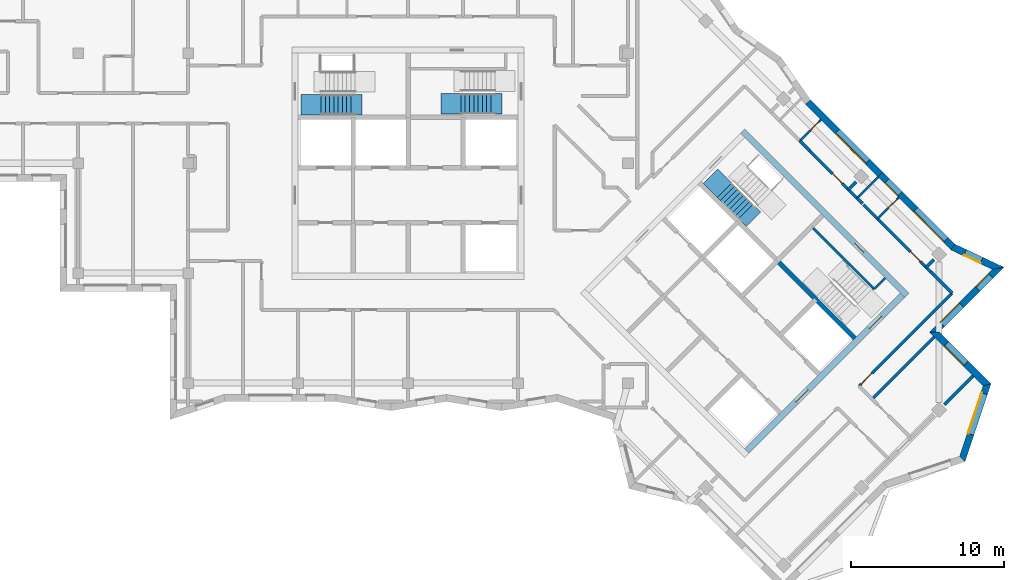
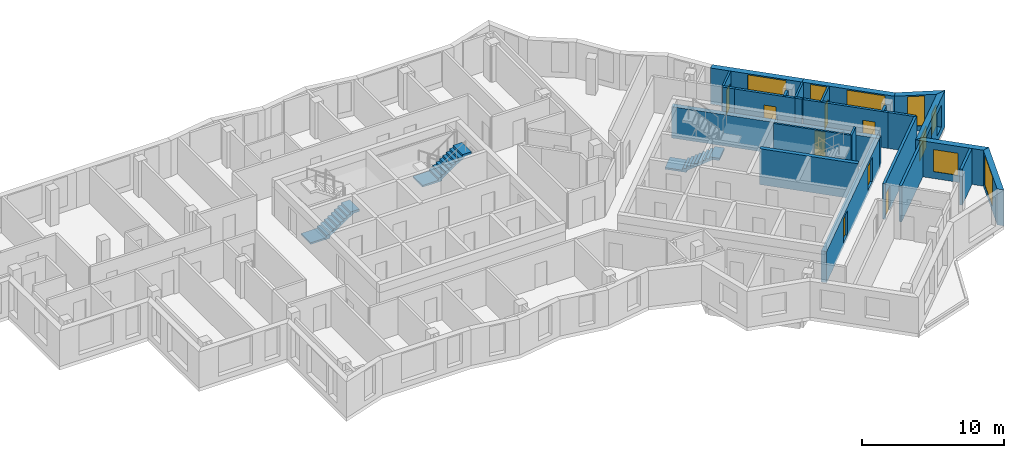
# One storey, part 8 of 12: 24 walls, 8 doors, 8 windows, 3 stair flights, 16 openings, 3 elements without a shape of their own.
"""IFC4 building model written with IfcOpenShell, lengths in metres."""

from ifc_helpers import new_model, si_unit, direction, frame, frame_2d, origin, place, context, subcontext, project, spatial, polyline, rectangle, outline, extrude, material, layer, layer_set, type_object, element, fill, aggregate, save


model = new_model("IFC4")

# Units and contexts
model_context = context("Model", 3, precision=1e-05, world=origin(), true_north=direction((0.0, 1.0)))
body_context = subcontext(model_context, "Body", "Model", "MODEL_VIEW")
ifc_project = project(units=[si_unit("LENGTHUNIT", "METRE"), si_unit("AREAUNIT", "SQUARE_METRE"), si_unit("VOLUMEUNIT", "CUBIC_METRE"), si_unit("PLANEANGLEUNIT", "RADIAN"), si_unit("MASSUNIT", "GRAM", prefix="KILO")], contexts=[model_context])

# Site, building, storey
site_placement = place(None, origin())
site = spatial("IfcSite", under=ifc_project, at=site_placement, CompositionType="ELEMENT")
building_placement = place(site_placement, origin())
building = spatial("IfcBuilding", under=site, at=building_placement, Name="Windrow Commons", CompositionType="ELEMENT")
storey_placement = place(building_placement, frame((0.0, 0.0, 277.8)))
storey = spatial("IfcBuildingStorey", under=building, at=storey_placement, Name="L76", CompositionType="ELEMENT", Elevation=277.8)

# Wall, opening, window
ifc_material_1 = material(Name="Brick masonry, red clay brick", Category="masonry")
ifc_layer_1 = layer(ifc_material_1, 0.45)
ifc_layer_set_1 = layer_set([ifc_layer_1], Name="Brick facade wall 450")
wall_type_1 = type_object("IfcWallType", Name="Brick facade wall 450", PredefinedType="SOLIDWALL", material=ifc_layer_set_1)
wall_1_placement = place(storey_placement, frame((101.0838, 38.2367, 0.0), z_axis=(0.0, 0.0, 1.0), x_axis=(0.3162453612, 0.9486774328, 0.0)))
wall_1 = element("IfcWall", 1, at=wall_1_placement, inside=storey, type_object=wall_type_1, Name="Brick facade wall L76 3", PredefinedType="SOLIDWALL", context=body_context, shape_type="SweptSolid", body=[
    extrude(outline(polyline([(-0.1125, -0.225), (5.2541, -0.225), (4.976, 0.225), (0.1125, 0.225), (-0.1125, -0.225)])), origin(), (0.0, 0.0, 1.0), 3.1),
])
opening_1_placement = place(wall_1_placement, frame((1.7065, 0.0, 0.45)))
opening_1 = element("IfcOpeningElement", 2, at=opening_1_placement, cuts=wall_1, Name="Opening W1V", PredefinedType="OPENING", context=body_context, shape_type="SweptSolid", body=[
    extrude(rectangle(XDim=2.8, YDim=2.55, at=frame_2d((1.4, 1.275))), frame((0.0, 0.235, 0.0), z_axis=(0.0, -1.0, 0.0), x_axis=(1.0, 0.0, 0.0)), (0.0, 0.0, 1.0), 0.47),
])
ifc_material_2 = material(Name="Clear float glass in anodised aluminium frame", Category="aluminium")
window_type_1 = type_object("IfcWindowType", Name="Window W1V bedroom 2800x2550", PartitioningType="SINGLE_PANEL", PredefinedType="WINDOW", material=ifc_material_2)
window_1_placement = place(opening_1_placement, origin())
window_1 = element("IfcWindow", 3, at=window_1_placement, inside=storey, type_object=window_type_1, Name="Window L76 3.1", OverallHeight=2.55, OverallWidth=2.8, PartitioningType="SINGLE_PANEL", PredefinedType="WINDOW", context=body_context, shape_type="SweptSolid", body=[
    extrude(rectangle(XDim=2.8, YDim=2.55, at=frame_2d((1.4, 1.275))), frame((0.0, 0.205, 0.0), z_axis=(0.0, -1.0, 0.0), x_axis=(1.0, 0.0, 0.0)), (0.0, 0.0, 1.0), 0.06),
])
fill(opening_1, window_1)

wall_2_placement = place(storey_placement, frame((102.7014, 43.0892, 0.0), z_axis=(0.0, 0.0, 1.0), x_axis=(-0.7070965479, 0.7071170144, 0.0)))
wall_2 = element("IfcWall", 4, at=wall_2_placement, inside=storey, type_object=wall_type_1, Name="Brick facade wall L76 4", PredefinedType="SOLIDWALL", context=body_context, shape_type="SweptSolid", body=[
    extrude(outline(polyline([(-0.1391, -0.225), (4.661, -0.225), (5.111, 0.225), (0.1391, 0.225), (-0.1391, -0.225)])), origin(), (0.0, 0.0, 1.0), 3.1),
])
opening_2_placement = place(wall_2_placement, frame((1.9735, 0.0, 0.6)))
opening_2 = element("IfcOpeningElement", 5, at=opening_2_placement, cuts=wall_2, Name="Opening W1L", PredefinedType="OPENING", context=body_context, shape_type="SweptSolid", body=[
    extrude(rectangle(XDim=1.8, YDim=1.9, at=frame_2d((0.9, 0.95))), frame((0.0, 0.235, 0.0), z_axis=(0.0, -1.0, 0.0), x_axis=(1.0, 0.0, 0.0)), (0.0, 0.0, 1.0), 0.47),
])
ifc_material_3 = material(Name="Clear float glass in anodised aluminium frame", Category="aluminium")
window_type_2 = type_object("IfcWindowType", Name="Window W1L bedroom 1800x1900", PartitioningType="SINGLE_PANEL", PredefinedType="WINDOW", material=ifc_material_3)
window_2_placement = place(opening_2_placement, origin())
window_2 = element("IfcWindow", 6, at=window_2_placement, inside=storey, type_object=window_type_2, Name="Window L76 4.1", OverallHeight=1.9, OverallWidth=1.8, PartitioningType="SINGLE_PANEL", PredefinedType="WINDOW", context=body_context, shape_type="SweptSolid", body=[
    extrude(rectangle(XDim=1.8, YDim=1.9, at=frame_2d((0.9, 0.95))), frame((0.0, 0.205, 0.0), z_axis=(0.0, -1.0, 0.0), x_axis=(1.0, 0.0, 0.0)), (0.0, 0.0, 1.0), 0.06),
])
fill(opening_2, window_2)

# Wall, openings, windows
wall_3_placement = place(storey_placement, frame((99.2465, 46.5442, 0.0), z_axis=(0.0, 0.0, 1.0), x_axis=(0.7071067812, 0.7071067812, 0.0)))
wall_3 = element("IfcWall", 7, at=wall_3_placement, inside=storey, type_object=wall_type_1, Name="Brick facade wall L76 5", PredefinedType="SOLIDWALL", context=body_context, shape_type="SweptSolid", body=[
    extrude(outline(polyline([(0.225, -0.225), (6.228, -0.225), (5.5876, 0.225), (-0.225, 0.225), (0.225, -0.225)])), origin(), (0.0, 0.0, 1.0), 3.1),
])
opening_3_placement = place(wall_3_placement, frame((0.7125, 0.0, 0.6)))
opening_3 = element("IfcOpeningElement", 8, at=opening_3_placement, cuts=wall_3, Name="Opening W1L", PredefinedType="OPENING", context=body_context, shape_type="SweptSolid", body=[
    extrude(rectangle(XDim=1.8, YDim=1.9, at=frame_2d((0.9, 0.95))), frame((0.0, 0.235, 0.0), z_axis=(0.0, -1.0, 0.0), x_axis=(1.0, 0.0, 0.0)), (0.0, 0.0, 1.0), 0.47),
])
opening_4_placement = place(wall_3_placement, frame((4.0063, 0.0, 0.6)))
opening_4 = element("IfcOpeningElement", 9, at=opening_4_placement, cuts=wall_3, Name="Opening W7G", PredefinedType="OPENING", context=body_context, shape_type="SweptSolid", body=[
    extrude(rectangle(XDim=1.2, YDim=1.9, at=frame_2d((0.6, 0.95))), frame((0.0, 0.235, 0.0), z_axis=(0.0, -1.0, 0.0), x_axis=(1.0, 0.0, 0.0)), (0.0, 0.0, 1.0), 0.47),
])
window_3_placement = place(opening_3_placement, origin())
window_3 = element("IfcWindow", 10, at=window_3_placement, inside=storey, type_object=window_type_2, Name="Window L76 5.1", OverallHeight=1.9, OverallWidth=1.8, PartitioningType="SINGLE_PANEL", PredefinedType="WINDOW", context=body_context, shape_type="SweptSolid", body=[
    extrude(rectangle(XDim=1.8, YDim=1.9, at=frame_2d((0.9, 0.95))), frame((0.0, 0.205, 0.0), z_axis=(0.0, -1.0, 0.0), x_axis=(1.0, 0.0, 0.0)), (0.0, 0.0, 1.0), 0.06),
])
fill(opening_3, window_3)
ifc_material_4 = material(Name="Clear float glass in anodised aluminium frame", Category="aluminium")
window_type_3 = type_object("IfcWindowType", Name="Window W7 notch 1200x1900", PartitioningType="SINGLE_PANEL", PredefinedType="WINDOW", material=ifc_material_4)
window_4_placement = place(opening_4_placement, origin())
window_4 = element("IfcWindow", 11, at=window_4_placement, inside=storey, type_object=window_type_3, Name="Window L76 5.2", OverallHeight=1.9, OverallWidth=1.2, PartitioningType="SINGLE_PANEL", PredefinedType="WINDOW", context=body_context, shape_type="SweptSolid", body=[
    extrude(rectangle(XDim=1.2, YDim=1.9, at=frame_2d((0.6, 0.95))), frame((0.0, 0.205, 0.0), z_axis=(0.0, -1.0, 0.0), x_axis=(1.0, 0.0, 0.0)), (0.0, 0.0, 1.0), 0.06),
])
fill(opening_4, window_4)

# Wall, opening, window
wall_4_placement = place(storey_placement, frame((103.4239, 50.7216, 0.0), z_axis=(0.0, 0.0, 1.0), x_axis=(-0.9049018861, 0.4256202258, 0.0)))
wall_4 = element("IfcWall", 12, at=wall_4_placement, inside=storey, type_object=wall_type_1, Name="Brick facade wall L76 6", PredefinedType="SOLIDWALL", context=body_context, shape_type="SweptSolid", body=[
    extrude(outline(polyline([(-0.3202, -0.225), (3.2294, -0.225), (3.308, 0.225), (0.3202, 0.225), (-0.3202, -0.225)])), origin(), (0.0, 0.0, 1.0), 3.1),
])
opening_5_placement = place(wall_4_placement, frame((1.1944, 0.0, 0.45)))
opening_5 = element("IfcOpeningElement", 13, at=opening_5_placement, cuts=wall_4, Name="Opening W7F", PredefinedType="OPENING", context=body_context, shape_type="SweptSolid", body=[
    extrude(rectangle(XDim=1.2, YDim=2.55, at=frame_2d((0.6, 1.275))), frame((0.0, 0.235, 0.0), z_axis=(0.0, -1.0, 0.0), x_axis=(1.0, 0.0, 0.0)), (0.0, 0.0, 1.0), 0.47),
])
ifc_material_5 = material(Name="Clear float glass in anodised aluminium frame", Category="aluminium")
window_type_4 = type_object("IfcWindowType", Name="Window W7 notch 1200x2550", PartitioningType="SINGLE_PANEL", PredefinedType="WINDOW", material=ifc_material_5)
window_5_placement = place(opening_5_placement, origin())
window_5 = element("IfcWindow", 14, at=window_5_placement, inside=storey, type_object=window_type_4, Name="Window L76 6.1", OverallHeight=2.55, OverallWidth=1.2, PartitioningType="SINGLE_PANEL", PredefinedType="WINDOW", context=body_context, shape_type="SweptSolid", body=[
    extrude(rectangle(XDim=1.2, YDim=2.55, at=frame_2d((0.6, 1.275))), frame((0.0, 0.205, 0.0), z_axis=(0.0, -1.0, 0.0), x_axis=(1.0, 0.0, 0.0)), (0.0, 0.0, 1.0), 0.06),
])
fill(opening_5, window_5)

# Wall, openings, windows
wall_5_placement = place(storey_placement, frame((100.4661, 52.1128, 0.0), z_axis=(0.0, 0.0, 1.0), x_axis=(-0.7071067812, 0.7071067812, 0.0)))
wall_5 = element("IfcWall", 15, at=wall_5_placement, inside=storey, type_object=wall_type_1, Name="Brick facade wall L76 7", PredefinedType="SOLIDWALL", context=body_context, shape_type="SweptSolid", body=[
    extrude(outline(polyline([(0.0393, -0.225), (6.7184, -0.225), (6.7184, 0.225), (-0.0393, 0.225), (0.0393, -0.225)])), origin(), (0.0, 0.0, 1.0), 3.1),
])
opening_6_placement = place(wall_5_placement, frame((0.6499, 0.0, 0.45)))
opening_6 = element("IfcOpeningElement", 16, at=opening_6_placement, cuts=wall_5, Name="Opening W1V", PredefinedType="OPENING", context=body_context, shape_type="SweptSolid", body=[
    extrude(rectangle(XDim=2.8, YDim=2.55, at=frame_2d((1.4, 1.275))), frame((0.0, 0.235, 0.0), z_axis=(0.0, -1.0, 0.0), x_axis=(1.0, 0.0, 0.0)), (0.0, 0.0, 1.0), 0.47),
])
opening_7_placement = place(wall_5_placement, frame((4.909, 0.0, 0.45)))
opening_7 = element("IfcOpeningElement", 17, at=opening_7_placement, cuts=wall_5, Name="Opening W7F", PredefinedType="OPENING", context=body_context, shape_type="SweptSolid", body=[
    extrude(rectangle(XDim=1.2, YDim=2.55, at=frame_2d((0.6, 1.275))), frame((0.0, 0.235, 0.0), z_axis=(0.0, -1.0, 0.0), x_axis=(1.0, 0.0, 0.0)), (0.0, 0.0, 1.0), 0.47),
])
window_6_placement = place(opening_6_placement, origin())
window_6 = element("IfcWindow", 18, at=window_6_placement, inside=storey, type_object=window_type_1, Name="Window L76 7.1", OverallHeight=2.55, OverallWidth=2.8, PartitioningType="SINGLE_PANEL", PredefinedType="WINDOW", context=body_context, shape_type="SweptSolid", body=[
    extrude(rectangle(XDim=2.8, YDim=2.55, at=frame_2d((1.4, 1.275))), frame((0.0, 0.205, 0.0), z_axis=(0.0, -1.0, 0.0), x_axis=(1.0, 0.0, 0.0)), (0.0, 0.0, 1.0), 0.06),
])
fill(opening_6, window_6)
window_7_placement = place(opening_7_placement, origin())
window_7 = element("IfcWindow", 19, at=window_7_placement, inside=storey, type_object=window_type_4, Name="Window L76 7.2", OverallHeight=2.55, OverallWidth=1.2, PartitioningType="SINGLE_PANEL", PredefinedType="WINDOW", context=body_context, shape_type="SweptSolid", body=[
    extrude(rectangle(XDim=1.2, YDim=2.55, at=frame_2d((0.6, 1.275))), frame((0.0, 0.205, 0.0), z_axis=(0.0, -1.0, 0.0), x_axis=(1.0, 0.0, 0.0)), (0.0, 0.0, 1.0), 0.06),
])
fill(opening_7, window_7)

# Wall, opening, window
wall_6_placement = place(storey_placement, frame((95.7155, 56.8634, 0.0), z_axis=(0.0, 0.0, 1.0), x_axis=(-0.7071067812, 0.7071067812, 0.0)))
wall_6 = element("IfcWall", 20, at=wall_6_placement, inside=storey, type_object=wall_type_1, Name="Brick facade wall L76 8", PredefinedType="SOLIDWALL", context=body_context, shape_type="SweptSolid", body=[
    extrude(outline(polyline([(0.0, -0.225), (6.6791, -0.225), (6.7194, 0.225), (0.0, 0.225), (0.0, -0.225)])), origin(), (0.0, 0.0, 1.0), 3.1),
])
opening_8_placement = place(wall_6_placement, frame((1.1814, 0.0, 0.45)))
opening_8 = element("IfcOpeningElement", 21, at=opening_8_placement, cuts=wall_6, Name="Opening W1V", PredefinedType="OPENING", context=body_context, shape_type="SweptSolid", body=[
    extrude(rectangle(XDim=2.8, YDim=2.55, at=frame_2d((1.4, 1.275))), frame((0.0, 0.235, 0.0), z_axis=(0.0, -1.0, 0.0), x_axis=(1.0, 0.0, 0.0)), (0.0, 0.0, 1.0), 0.47),
])
window_8_placement = place(opening_8_placement, origin())
window_8 = element("IfcWindow", 22, at=window_8_placement, inside=storey, type_object=window_type_1, Name="Window L76 8.1", OverallHeight=2.55, OverallWidth=2.8, PartitioningType="SINGLE_PANEL", PredefinedType="WINDOW", context=body_context, shape_type="SweptSolid", body=[
    extrude(rectangle(XDim=2.8, YDim=2.55, at=frame_2d((1.4, 1.275))), frame((0.0, 0.205, 0.0), z_axis=(0.0, -1.0, 0.0), x_axis=(1.0, 0.0, 0.0)), (0.0, 0.0, 1.0), 0.06),
])
fill(opening_8, window_8)

# Wall, opening, door
ifc_material_6 = material(Name="Blockwork partition", Category="masonry")
ifc_layer_2 = layer(ifc_material_6, 0.2)
ifc_layer_set_2 = layer_set([ifc_layer_2], Name="IW-CORRIDOR-200")
wall_type_2 = type_object("IfcWallType", Name="IW-CORRIDOR-200", PredefinedType="PARTITIONING", material=ifc_layer_set_2)
wall_7_placement = place(storey_placement, frame((94.3309, 43.0091, 0.0), z_axis=(0.0, 0.0, 1.0), x_axis=(0.7071067812, 0.7071067812, 0.0)))
wall_7 = element("IfcWall", 23, at=wall_7_placement, inside=storey, type_object=wall_type_2, Name="W-L76-W013", PredefinedType="PARTITIONING", context=body_context, shape_type="SweptSolid", body=[
    extrude(rectangle(XDim=8.6012, YDim=0.2, at=frame_2d((4.3006, 0.0))), origin(), (0.0, 0.0, 1.0), 3.1),
])
opening_9_placement = place(wall_7_placement, frame((0.1937, 0.0, 0.0)))
opening_9 = element("IfcOpeningElement", 24, at=opening_9_placement, cuts=wall_7, Name="Opening D310F", PredefinedType="OPENING", context=body_context, shape_type="SweptSolid", body=[
    extrude(rectangle(XDim=1.0, YDim=2.1, at=frame_2d((0.5, 1.05))), frame((0.0, 0.11, 0.0), z_axis=(0.0, -1.0, 0.0), x_axis=(1.0, 0.0, 0.0)), (0.0, 0.0, 1.0), 0.22),
])
ifc_material_7 = material(Name="Timber door leaf", Category="wood")
door_type_1 = type_object("IfcDoorType", Name="DT-AMENITY-1000", OperationType="SINGLE_SWING_LEFT", PredefinedType="DOOR", material=ifc_material_7)
door_1_placement = place(opening_9_placement, origin())
door_1 = element("IfcDoor", 25, at=door_1_placement, inside=storey, type_object=door_type_1, Name="D-L76-D036", OperationType="SINGLE_SWING_LEFT", OverallHeight=2.1, OverallWidth=1.0, PredefinedType="DOOR", context=body_context, shape_type="SweptSolid", body=[
    extrude(rectangle(XDim=1.0, YDim=2.1, at=frame_2d((0.5, 1.05))), frame((0.0, 0.025, 0.0), z_axis=(0.0, -1.0, 0.0), x_axis=(1.0, 0.0, 0.0)), (0.0, 0.0, 1.0), 0.05),
])
fill(opening_9, door_1)

wall_8_placement = place(storey_placement, frame((94.6173, 54.8793, 0.0), z_axis=(0.0, 0.0, 1.0), x_axis=(0.7071067812, -0.7071067812, 0.0)))
wall_8 = element("IfcWall", 26, at=wall_8_placement, inside=storey, type_object=wall_type_2, Name="W-L76-W025", PredefinedType="PARTITIONING", context=body_context, shape_type="SweptSolid", body=[
    extrude(rectangle(XDim=6.1914, YDim=0.2, at=frame_2d((3.0957, 0.0))), origin(), (0.0, 0.0, 1.0), 3.1),
])
opening_10_placement = place(wall_8_placement, frame((4.346, 0.0, 0.0)))
opening_10 = element("IfcOpeningElement", 27, at=opening_10_placement, cuts=wall_8, Name="Opening D109S", PredefinedType="OPENING", context=body_context, shape_type="SweptSolid", body=[
    extrude(rectangle(XDim=0.9, YDim=2.1, at=frame_2d((0.45, 1.05))), frame((0.0, 0.11, 0.0), z_axis=(0.0, -1.0, 0.0), x_axis=(1.0, 0.0, 0.0)), (0.0, 0.0, 1.0), 0.22),
])
ifc_material_8 = material(Name="Timber door leaf", Category="wood")
door_type_2 = type_object("IfcDoorType", Name="DT-BEDROOM-900", OperationType="SINGLE_SWING_LEFT", PredefinedType="DOOR", material=ifc_material_8)
door_2_placement = place(opening_10_placement, origin())
door_2 = element("IfcDoor", 28, at=door_2_placement, inside=storey, type_object=door_type_2, Name="D-L76-D032", OperationType="SINGLE_SWING_LEFT", OverallHeight=2.1, OverallWidth=0.9, PredefinedType="DOOR", context=body_context, shape_type="SweptSolid", body=[
    extrude(rectangle(XDim=0.9, YDim=2.1, at=frame_2d((0.45, 1.05))), frame((0.0, 0.025, 0.0), z_axis=(0.0, -1.0, 0.0), x_axis=(1.0, 0.0, 0.0)), (0.0, 0.0, 1.0), 0.05),
])
fill(opening_10, door_2)

wall_9_placement = place(storey_placement, frame((91.0769, 58.4209, 0.0), z_axis=(0.0, 0.0, 1.0), x_axis=(0.7069703926, -0.7072431435, 0.0)))
wall_9 = element("IfcWall", 29, at=wall_9_placement, inside=storey, type_object=wall_type_2, Name="W-L76-W044", PredefinedType="PARTITIONING", context=body_context, shape_type="SweptSolid", body=[
    extrude(rectangle(XDim=4.3996, YDim=0.2, at=frame_2d((2.1998, 0.0))), origin(), (0.0, 0.0, 1.0), 3.1),
])
opening_11_placement = place(wall_9_placement, frame((2.1319, 0.0, 0.0)))
opening_11 = element("IfcOpeningElement", 30, at=opening_11_placement, cuts=wall_9, Name="Opening D109S", PredefinedType="OPENING", context=body_context, shape_type="SweptSolid", body=[
    extrude(rectangle(XDim=0.9, YDim=2.1, at=frame_2d((0.45, 1.05))), frame((0.0, 0.11, 0.0), z_axis=(0.0, -1.0, 0.0), x_axis=(1.0, 0.0, 0.0)), (0.0, 0.0, 1.0), 0.22),
])
door_3_placement = place(opening_11_placement, origin())
door_3 = element("IfcDoor", 31, at=door_3_placement, inside=storey, type_object=door_type_2, Name="D-L76-D030", OperationType="SINGLE_SWING_LEFT", OverallHeight=2.1, OverallWidth=0.9, PredefinedType="DOOR", context=body_context, shape_type="SweptSolid", body=[
    extrude(rectangle(XDim=0.9, YDim=2.1, at=frame_2d((0.45, 1.05))), frame((0.0, 0.025, 0.0), z_axis=(0.0, -1.0, 0.0), x_axis=(1.0, 0.0, 0.0)), (0.0, 0.0, 1.0), 0.05),
])
fill(opening_11, door_3)

# Walls
wall_10_placement = place(storey_placement, frame((98.9983, 50.5043, 0.0), z_axis=(0.0, 0.0, 1.0), x_axis=(0.7076063266, -0.7066068826, 0.0)))
element("IfcWall", 32, at=wall_10_placement, inside=storey, type_object=wall_type_2, Name="W-L76-W084", PredefinedType="PARTITIONING", context=body_context, shape_type="SweptSolid", body=[
    extrude(rectangle(XDim=2.0011, YDim=0.2, at=frame_2d((1.0006, 0.0))), origin(), (0.0, 0.0, 1.0), 3.1),
])
wall_11_placement = place(storey_placement, frame((90.4428, 59.0608, 0.0), z_axis=(0.0, 0.0, 1.0), x_axis=(0.7082159662, -0.7059958535, 0.0)))
element("IfcWall", 33, at=wall_11_placement, inside=storey, type_object=wall_type_2, Name="W-L76-W112", PredefinedType="PARTITIONING", context=body_context, shape_type="SweptSolid", body=[
    extrude(rectangle(XDim=0.9009, YDim=0.2, at=frame_2d((0.4505, 0.0))), origin(), (0.0, 0.0, 1.0), 3.1),
])
wall_12_placement = place(storey_placement, frame((94.1916, 55.3136, 0.0), z_axis=(0.0, 0.0, 1.0), x_axis=(0.7090520432, -0.7051561529, 0.0)))
element("IfcWall", 34, at=wall_12_placement, inside=storey, type_object=wall_type_2, Name="W-L76-W127", PredefinedType="PARTITIONING", context=body_context, shape_type="SweptSolid", body=[
    extrude(rectangle(XDim=0.5134, YDim=0.2, at=frame_2d((0.2567, 0.0))), origin(), (0.0, 0.0, 1.0), 3.1),
])

# Wall, opening, door
ifc_material_9 = material(Name="Blockwork partition", Category="masonry")
ifc_layer_3 = layer(ifc_material_9, 0.15)
ifc_layer_set_3 = layer_set([ifc_layer_3], Name="IW-ENSUITE-150")
wall_type_3 = type_object("IfcWallType", Name="IW-ENSUITE-150", PredefinedType="PARTITIONING", material=ifc_layer_set_3)
wall_13_placement = place(storey_placement, frame((90.4416, 59.0604, 0.0), z_axis=(0.0, 0.0, 1.0), x_axis=(0.7076448457, 0.7065683069, 0.0)))
wall_13 = element("IfcWall", 35, at=wall_13_placement, inside=storey, type_object=wall_type_3, Name="W-L76-W090", PredefinedType="PARTITIONING", context=body_context, shape_type="SweptSolid", body=[
    extrude(rectangle(XDim=1.9507, YDim=0.15, at=frame_2d((0.9754, 0.0))), origin(), (0.0, 0.0, 1.0), 3.1),
])
opening_12_placement = place(wall_13_placement, frame((0.9732, 0.0, 0.0)))
opening_12 = element("IfcOpeningElement", 36, at=opening_12_placement, cuts=wall_13, Name="Opening D208N", PredefinedType="OPENING", context=body_context, shape_type="SweptSolid", body=[
    extrude(rectangle(XDim=0.8, YDim=2.1, at=frame_2d((0.4, 1.05))), frame((0.0, 0.085, 0.0), z_axis=(0.0, -1.0, 0.0), x_axis=(1.0, 0.0, 0.0)), (0.0, 0.0, 1.0), 0.17),
])
ifc_material_10 = material(Name="Timber door leaf", Category="wood")
door_type_3 = type_object("IfcDoorType", Name="DT-ENSUITE-800", OperationType="SINGLE_SWING_LEFT", PredefinedType="DOOR", material=ifc_material_10)
door_4_placement = place(opening_12_placement, origin())
door_4 = element("IfcDoor", 37, at=door_4_placement, inside=storey, type_object=door_type_3, Name="D-L76-D031", OperationType="SINGLE_SWING_RIGHT", OverallHeight=2.1, OverallWidth=0.8, PredefinedType="DOOR", context=body_context, shape_type="SweptSolid", body=[
    extrude(rectangle(XDim=0.8, YDim=2.1, at=frame_2d((0.4, 1.05))), frame((0.0, 0.025, 0.0), z_axis=(0.0, -1.0, 0.0), x_axis=(1.0, 0.0, 0.0)), (0.0, 0.0, 1.0), 0.05),
])
fill(opening_12, door_4)

# Wall
wall_14_placement = place(storey_placement, frame((94.1894, 55.3126, 0.0), z_axis=(0.0, 0.0, 1.0), x_axis=(0.7070811488, 0.7071324126, 0.0)))
element("IfcWall", 38, at=wall_14_placement, inside=storey, type_object=wall_type_3, Name="W-L76-W091", PredefinedType="PARTITIONING", context=body_context, shape_type="SweptSolid", body=[
    extrude(rectangle(XDim=1.9507, YDim=0.15, at=frame_2d((0.9754, 0.0))), origin(), (0.0, 0.0, 1.0), 3.1),
])

# Wall, opening, door
wall_15_placement = place(storey_placement, frame((95.5329, 53.9691, 0.0), z_axis=(0.0, 0.0, 1.0), x_axis=(0.7070811488, 0.7071324126, 0.0)))
wall_15 = element("IfcWall", 39, at=wall_15_placement, inside=storey, type_object=wall_type_3, Name="W-L76-W092", PredefinedType="PARTITIONING", context=body_context, shape_type="SweptSolid", body=[
    extrude(rectangle(XDim=1.9507, YDim=0.15, at=frame_2d((0.9754, 0.0))), origin(), (0.0, 0.0, 1.0), 3.1),
])
opening_13_placement = place(wall_15_placement, frame((0.9798, 0.0, 0.0)))
opening_13 = element("IfcOpeningElement", 40, at=opening_13_placement, cuts=wall_15, Name="Opening D208N", PredefinedType="OPENING", context=body_context, shape_type="SweptSolid", body=[
    extrude(rectangle(XDim=0.8, YDim=2.1, at=frame_2d((0.4, 1.05))), frame((0.0, 0.085, 0.0), z_axis=(0.0, -1.0, 0.0), x_axis=(1.0, 0.0, 0.0)), (0.0, 0.0, 1.0), 0.17),
])
door_5_placement = place(opening_13_placement, origin())
door_5 = element("IfcDoor", 41, at=door_5_placement, inside=storey, type_object=door_type_3, Name="D-L76-D033", OperationType="SINGLE_SWING_RIGHT", OverallHeight=2.1, OverallWidth=0.8, PredefinedType="DOOR", context=body_context, shape_type="SweptSolid", body=[
    extrude(rectangle(XDim=0.8, YDim=2.1, at=frame_2d((0.4, 1.05))), frame((0.0, 0.025, 0.0), z_axis=(0.0, -1.0, 0.0), x_axis=(1.0, 0.0, 0.0)), (0.0, 0.0, 1.0), 0.05),
])
fill(opening_13, door_5)

# Walls
ifc_material_11 = material(Name="Blockwork partition", Category="masonry")
ifc_layer_4 = layer(ifc_material_11, 0.2)
ifc_layer_set_4 = layer_set([ifc_layer_4], Name="IW-PARTY-200")
wall_type_4 = type_object("IfcWallType", Name="IW-PARTY-200", PredefinedType="PARTITIONING", material=ifc_layer_set_4)
wall_16_placement = place(storey_placement, frame((95.1794, 42.1606, 0.0), z_axis=(0.0, 0.0, 1.0), x_axis=(0.707115476, 0.7070980863, 0.0)))
element("IfcWall", 42, at=wall_16_placement, inside=storey, type_object=wall_type_4, Name="W-L76-W028", PredefinedType="PARTITIONING", context=body_context, shape_type="SweptSolid", body=[
    extrude(rectangle(XDim=5.7505, YDim=0.2, at=frame_2d((2.8752, 0.0))), origin(), (0.0, 0.0, 1.0), 3.1),
])
wall_17_placement = place(storey_placement, frame((99.913, 41.803, 0.0), z_axis=(0.0, 0.0, 1.0), x_axis=(0.7071067812, 0.7071067812, 0.0)))
element("IfcWall", 43, at=wall_17_placement, inside=storey, type_object=wall_type_4, Name="W-L76-W065", PredefinedType="PARTITIONING", context=body_context, shape_type="SweptSolid", body=[
    extrude(rectangle(XDim=2.6562, YDim=0.2, at=frame_2d((1.3281, 0.0))), origin(), (0.0, 0.0, 1.0), 3.1),
])
wall_18_placement = place(storey_placement, frame((98.7148, 50.7872, 0.0), z_axis=(0.0, 0.0, 1.0), x_axis=(0.7071067812, 0.7071067812, 0.0)))
element("IfcWall", 44, at=wall_18_placement, inside=storey, type_object=wall_type_4, Name="W-L76-W118", PredefinedType="PARTITIONING", context=body_context, shape_type="SweptSolid", body=[
    extrude(rectangle(XDim=0.7071, YDim=0.2, at=frame_2d((0.3535, 0.0))), origin(), (0.0, 0.0, 1.0), 3.1),
])
wall_19_placement = place(storey_placement, frame((93.625, 55.877, 0.0), z_axis=(0.0, 0.0, 1.0), x_axis=(0.7085224061, 0.7056883165, 0.0)))
element("IfcWall", 45, at=wall_19_placement, inside=storey, type_object=wall_type_4, Name="W-L76-W119", PredefinedType="PARTITIONING", context=body_context, shape_type="SweptSolid", body=[
    extrude(rectangle(XDim=0.7057, YDim=0.2, at=frame_2d((0.3528, 0.0))), origin(), (0.0, 0.0, 1.0), 3.1),
])

# Wall, opening, door
ifc_material_12 = material(Name="Concrete C40/50", Category="concrete")
ifc_layer_5 = layer(ifc_material_12, 0.4)
ifc_layer_set_5 = layer_set([ifc_layer_5], Name="RC CORE WALL 400 C40/50")
wall_type_5 = type_object("IfcWallType", Name="RC CORE WALL 400 C40/50", PredefinedType="SHEAR", material=ifc_layer_set_5)
wall_20_placement = place(storey_placement, frame((86.6953, 59.6963, -0.3), z_axis=(0.0, 0.0, 1.0), x_axis=(0.7071100706, -0.7071034917, 0.0)))
wall_20 = element("IfcWall", 46, at=wall_20_placement, inside=storey, type_object=wall_type_5, Name="Core B wall outer-N", PredefinedType="SHEAR", context=body_context, shape_type="SweptSolid", body=[
    extrude(rectangle(XDim=15.2, YDim=0.4, at=frame_2d((7.6, 0.0))), origin(), (0.0, 0.0, 1.0), 2.7),
])
opening_14_placement = place(wall_20_placement, frame((10.4, 0.0, 0.3)))
opening_14 = element("IfcOpeningElement", 47, at=opening_14_placement, cuts=wall_20, Name="Opening D9", PredefinedType="OPENING", context=body_context, shape_type="SweptSolid", body=[
    extrude(rectangle(XDim=0.8, YDim=2.1, at=frame_2d((0.4, 1.05))), frame((0.0, 0.21, 0.0), z_axis=(0.0, -1.0, 0.0), x_axis=(1.0, 0.0, 0.0)), (0.0, 0.0, 1.0), 0.42),
])
ifc_material_13 = material(Name="Steel fire door leaf", Category="steel")
door_type_4 = type_object("IfcDoorType", Name="Riser access door 800", OperationType="SINGLE_SWING_LEFT", PredefinedType="DOOR", material=ifc_material_13)
door_6_placement = place(opening_14_placement, origin())
door_6 = element("IfcDoor", 48, at=door_6_placement, inside=storey, type_object=door_type_4, Name="Riser access door", OperationType="SINGLE_SWING_RIGHT", OverallHeight=2.1, OverallWidth=0.8, PredefinedType="DOOR", context=body_context, shape_type="SweptSolid", body=[
    extrude(rectangle(XDim=0.8, YDim=2.1, at=frame_2d((0.4, 1.05))), frame((0.0, 0.025, 0.0), z_axis=(0.0, -1.0, 0.0), x_axis=(1.0, 0.0, 0.0)), (0.0, 0.0, 1.0), 0.05),
])
fill(opening_14, door_6)

# Wall, openings, doors
wall_21_placement = place(storey_placement, frame((86.9782, 38.766, -0.3), z_axis=(0.0, 0.0, 1.0), x_axis=(0.7071067812, 0.7071067812, 0.0)))
wall_21 = element("IfcWall", 49, at=wall_21_placement, inside=storey, type_object=wall_type_5, Name="Core B wall outer-E", PredefinedType="SHEAR", context=body_context, shape_type="SweptSolid", body=[
    extrude(rectangle(XDim=14.3999, YDim=0.4, at=frame_2d((7.2, 0.0))), origin(), (0.0, 0.0, 1.0), 2.7),
])
opening_15_placement = place(wall_21_placement, frame((4.55, 0.0, 0.3)))
opening_15 = element("IfcOpeningElement", 50, at=opening_15_placement, cuts=wall_21, Name="Opening D6", PredefinedType="OPENING", context=body_context, shape_type="SweptSolid", body=[
    extrude(rectangle(XDim=1.1, YDim=2.1, at=frame_2d((0.55, 1.05))), frame((0.0, 0.21, 0.0), z_axis=(0.0, -1.0, 0.0), x_axis=(1.0, 0.0, 0.0)), (0.0, 0.0, 1.0), 0.42),
])
opening_16_placement = place(wall_21_placement, frame((11.35, 0.0, 0.3)))
opening_16 = element("IfcOpeningElement", 51, at=opening_16_placement, cuts=wall_21, Name="Opening D7", PredefinedType="OPENING", context=body_context, shape_type="SweptSolid", body=[
    extrude(rectangle(XDim=1.1, YDim=2.1, at=frame_2d((0.55, 1.05))), frame((0.0, 0.21, 0.0), z_axis=(0.0, -1.0, 0.0), x_axis=(1.0, 0.0, 0.0)), (0.0, 0.0, 1.0), 0.42),
])
ifc_material_14 = material(Name="Steel fire door leaf", Category="steel")
door_type_5 = type_object("IfcDoorType", Name="Core lobby door 1100", OperationType="SINGLE_SWING_LEFT", PredefinedType="DOOR", material=ifc_material_14)
door_7_placement = place(opening_15_placement, origin())
door_7 = element("IfcDoor", 52, at=door_7_placement, inside=storey, type_object=door_type_5, Name="Lift lobby door", OperationType="DOUBLE_DOOR_SINGLE_SWING", OverallHeight=2.1, OverallWidth=1.1, PredefinedType="DOOR", context=body_context, shape_type="SweptSolid", body=[
    extrude(rectangle(XDim=1.1, YDim=2.1, at=frame_2d((0.55, 1.05))), frame((0.0, 0.025, 0.0), z_axis=(0.0, -1.0, 0.0), x_axis=(1.0, 0.0, 0.0)), (0.0, 0.0, 1.0), 0.05),
])
fill(opening_15, door_7)
ifc_material_15 = material(Name="Steel fire door leaf", Category="steel")
door_type_6 = type_object("IfcDoorType", Name="Stair door 1100", OperationType="SINGLE_SWING_LEFT", PredefinedType="DOOR", material=ifc_material_15)
door_8_placement = place(opening_16_placement, origin())
door_8 = element("IfcDoor", 53, at=door_8_placement, inside=storey, type_object=door_type_6, Name="Stair door", OperationType="SINGLE_SWING_RIGHT", OverallHeight=2.1, OverallWidth=1.1, PredefinedType="DOOR", context=body_context, shape_type="SweptSolid", body=[
    extrude(rectangle(XDim=1.1, YDim=2.1, at=frame_2d((0.55, 1.05))), frame((0.0, 0.025, 0.0), z_axis=(0.0, -1.0, 0.0), x_axis=(1.0, 0.0, 0.0)), (0.0, 0.0, 1.0), 0.05),
])
fill(opening_16, door_8)

# Walls
ifc_material_16 = material(Name="Concrete C40/50", Category="concrete")
ifc_layer_6 = layer(ifc_material_16, 0.3)
ifc_layer_set_6 = layer_set([ifc_layer_6], Name="RC SHAFT WALL 300 C40/50")
wall_type_6 = type_object("IfcWallType", Name="RC SHAFT WALL 300 C40/50", PredefinedType="SOLIDWALL", material=ifc_layer_set_6)
wall_22_placement = place(storey_placement, frame((88.9581, 51.2111, 0.0), z_axis=(0.0, 0.0, 1.0), x_axis=(0.7070998367, -0.7071137256, 0.0)))
element("IfcWall", 54, at=wall_22_placement, inside=storey, type_object=wall_type_6, Name="Core B wall stair-S2", PredefinedType="SOLIDWALL", context=body_context, shape_type="SweptSolid", body=[
    extrude(rectangle(XDim=7.2, YDim=0.3, at=frame_2d((3.6, 0.0))), origin(), (0.0, 0.0, 1.0), 3.1),
])
ifc_material_17 = material(Name="Blockwork partition", Category="masonry")
ifc_layer_7 = layer(ifc_material_17, 0.15)
ifc_layer_set_7 = layer_set([ifc_layer_7], Name="Riser partition 150")
wall_type_7 = type_object("IfcWallType", Name="Riser partition 150", PredefinedType="PARTITIONING", material=ifc_layer_set_7)
wall_23_placement = place(storey_placement, frame((91.3127, 53.3536, 0.0), z_axis=(0.0, 0.0, 1.0), x_axis=(0.7071067812, -0.7071067812, 0.0)))
element("IfcWall", 55, at=wall_23_placement, inside=storey, type_object=wall_type_7, Name="W-core-strip-B-L76", PredefinedType="PARTITIONING", context=body_context, shape_type="SweptSolid", body=[
    extrude(rectangle(XDim=5.6501, YDim=0.15, at=frame_2d((2.8251, 0.0))), origin(), (0.0, 0.0, 1.0), 3.1),
])
wall_24_placement = place(storey_placement, frame((95.3079, 49.3584, 0.0), z_axis=(0.0, 0.0, 1.0), x_axis=(0.70705776, 0.707155799, 0.0)))
element("IfcWall", 56, at=wall_24_placement, inside=storey, type_object=wall_type_7, Name="W-core-stripx-B-L76-1", PredefinedType="PARTITIONING", context=body_context, shape_type="SweptSolid", body=[
    extrude(rectangle(XDim=1.02, YDim=0.15, at=frame_2d((0.51, 0.0))), origin(), (0.0, 0.0, 1.0), 3.1),
])

# Stair, stair flight
ifc_material_18 = material(Name="Concrete C40/50", Category="concrete")
stair_type = type_object("IfcStairType", Name="Core stair", PredefinedType="HALF_TURN_STAIR", material=ifc_material_18)
placement = place(storey_placement, origin())
stair_1 = element("IfcStair", 57, at=placement, inside=storey, type_object=stair_type, Name="L76 Exit stair A1 core A", PredefinedType="HALF_TURN_STAIR")
ifc_material_19 = material(Name="Concrete C40/50", Category="concrete")
stair_flight_type = type_object("IfcStairFlightType", Name="Core stair flight", PredefinedType="STRAIGHT", material=ifc_material_19)
stair_flight_1_placement = place(storey_placement, frame((59.1, 61.425, 0.0), z_axis=(0.0, 0.0, 1.0), x_axis=(1.0, 0.0, 0.0)))
stair_flight_1 = element("IfcStairFlight", 58, at=stair_flight_1_placement, type_object=stair_flight_type, Name="ST-A1 flight 1", NumberOfRisers=9, NumberOfTreads=8, PredefinedType="STRAIGHT", RiserHeight=0.188888889, TreadLength=0.28, context=body_context, shape_type="SweptSolid", body=[
    extrude(outline(polyline([(-1.3, -0.15), (-1.3, 0.0), (0.0, 0.0), (0.0, 0.1889), (0.28, 0.1889), (0.28, 0.3778), (0.56, 0.3778), (0.56, 0.5667), (0.84, 0.5667), (0.84, 0.7556), (1.12, 0.7556), (1.12, 0.9444), (1.4, 0.9444), (1.4, 1.1333), (1.68, 1.1333), (1.68, 1.3222), (1.96, 1.3222), (1.96, 1.5111), (2.24, 1.5111), (2.69, 1.5111), (2.69, 1.3111), (2.24, 1.3111), (2.24, 1.3302), (0.2682, 0.0), (0.2682, -0.15), (-1.3, -0.15)])), frame((0.0, 0.675, 0.0), z_axis=(0.0, -1.0, 0.0), x_axis=(1.0, 0.0, 0.0)), (0.0, 0.0, 1.0), 1.35),
])
aggregate(stair_1, [stair_flight_1])

stair_2 = element("IfcStair", 59, at=placement, inside=storey, type_object=stair_type, Name="L76 Exit stair A2 core A", PredefinedType="HALF_TURN_STAIR")
stair_flight_2_placement = place(storey_placement, frame((68.26, 61.48, 1.7), z_axis=(0.0, 0.0, 1.0), x_axis=(1.0, 0.0, 0.0)))
stair_flight_2 = element("IfcStairFlight", 60, at=stair_flight_2_placement, type_object=stair_flight_type, Name="ST-A2 flight 2", NumberOfRisers=9, NumberOfTreads=8, PredefinedType="STRAIGHT", RiserHeight=0.188888889, TreadLength=0.28, context=body_context, shape_type="SweptSolid", body=[
    extrude(outline(polyline([(-1.3, -0.15), (-1.3, 0.0), (0.0, 0.0), (0.0, 0.1889), (0.28, 0.1889), (0.28, 0.3778), (0.56, 0.3778), (0.56, 0.5667), (0.84, 0.5667), (0.84, 0.7556), (1.12, 0.7556), (1.12, 0.9444), (1.4, 0.9444), (1.4, 1.1333), (1.68, 1.1333), (1.68, 1.3222), (1.96, 1.3222), (1.96, 1.5111), (2.24, 1.5111), (2.69, 1.5111), (2.69, 1.3111), (2.24, 1.3111), (2.24, 1.3302), (0.2682, 0.0), (0.2682, -0.15), (-1.3, -0.15)])), frame((0.0, 0.675, 0.0), z_axis=(0.0, -1.0, 0.0), x_axis=(1.0, 0.0, 0.0)), (0.0, 0.0, 1.0), 1.35),
])
aggregate(stair_2, [stair_flight_2])

stair_3 = element("IfcStair", 61, at=placement, inside=storey, type_object=stair_type, Name="L76 Exit stair B1 core B", PredefinedType="HALF_TURN_STAIR")
stair_flight_3_placement = place(storey_placement, frame((85.5109, 55.8249, 0.0), z_axis=(0.0, 0.0, 1.0), x_axis=(0.7071067812, -0.7071067812, 0.0)))
stair_flight_3 = element("IfcStairFlight", 62, at=stair_flight_3_placement, type_object=stair_flight_type, Name="ST-B1 flight 1", NumberOfRisers=9, NumberOfTreads=8, PredefinedType="STRAIGHT", RiserHeight=0.188888889, TreadLength=0.28, context=body_context, shape_type="SweptSolid", body=[
    extrude(outline(polyline([(-1.3, -0.15), (-1.3, 0.0), (0.0, 0.0), (0.0, 0.1889), (0.28, 0.1889), (0.28, 0.3778), (0.56, 0.3778), (0.56, 0.5667), (0.84, 0.5667), (0.84, 0.7556), (1.12, 0.7556), (1.12, 0.9444), (1.4, 0.9444), (1.4, 1.1333), (1.68, 1.1333), (1.68, 1.3222), (1.96, 1.3222), (1.96, 1.5111), (2.24, 1.5111), (2.69, 1.5111), (2.69, 1.3111), (2.24, 1.3111), (2.24, 1.3302), (0.2682, 0.0), (0.2682, -0.15), (-1.3, -0.15)])), frame((0.0, 0.675, 0.0), z_axis=(0.0, -1.0, 0.0), x_axis=(1.0, 0.0, 0.0)), (0.0, 0.0, 1.0), 1.35),
])
aggregate(stair_3, [stair_flight_3])

save(model, "model.ifc")
